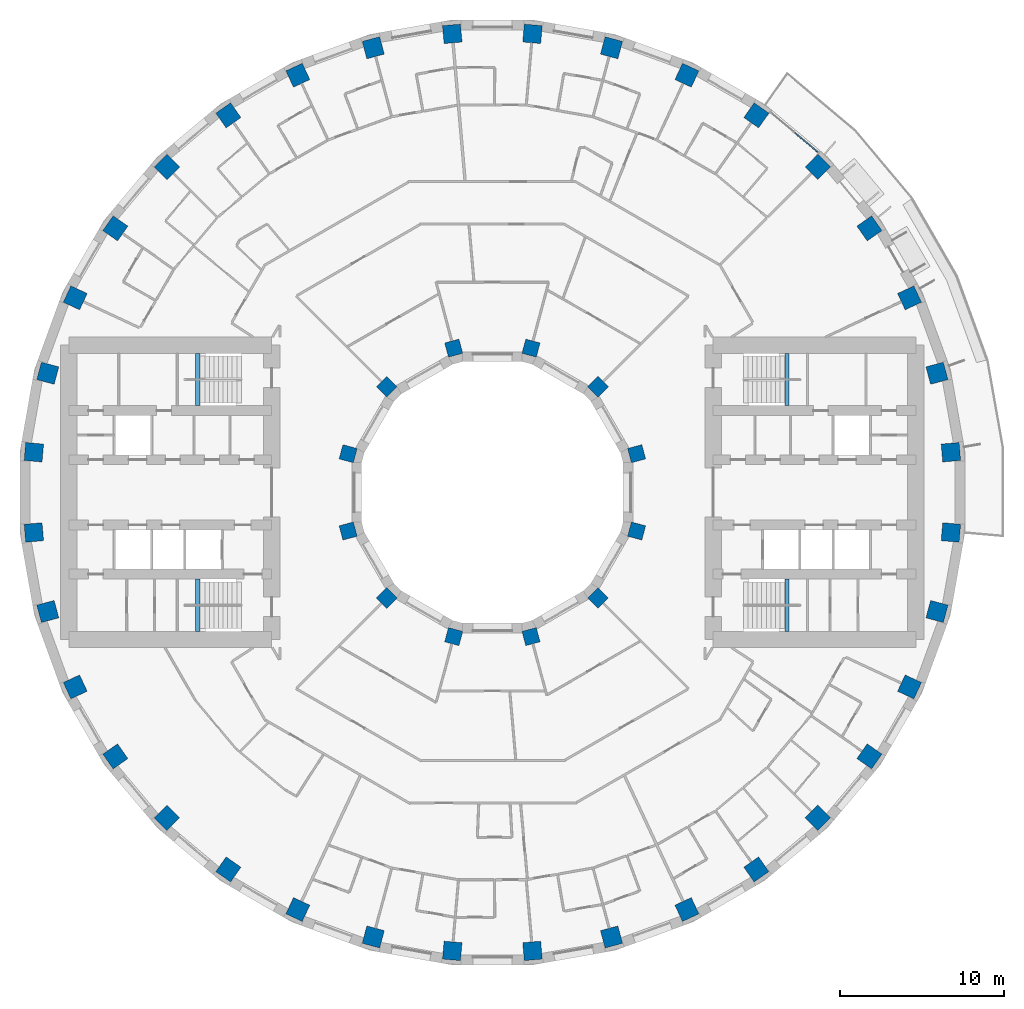
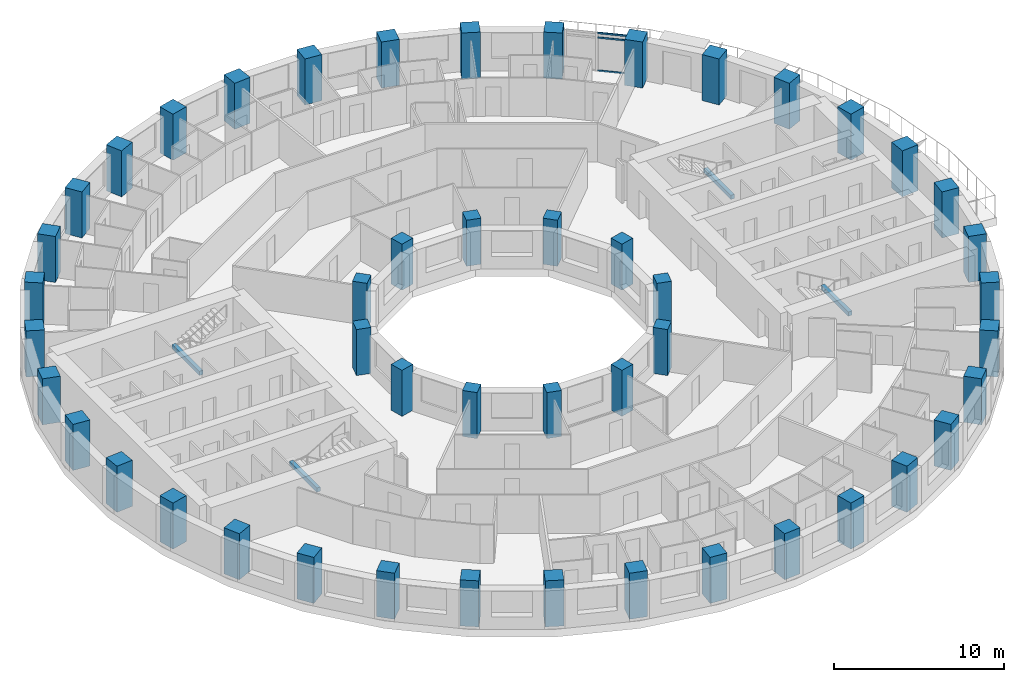
# One storey, part 1 of 15: 48 columns, 4 beams, 3 members, 1 element without a shape of its own.
"""IFC4 building model written with IfcOpenShell, lengths in metres."""

from ifc_helpers import new_model, si_unit, direction, frame, origin, origin_2d, place, context, subcontext, project, spatial, rectangle, extrude, material, layer, layer_set, material_profile, profile_set, type_object, element, aggregate, save


model = new_model("IFC4")

# Units and contexts
model_context = context("Model", 3, precision=1e-05, world=origin(), true_north=direction((0.0, 1.0)))
body_context = subcontext(model_context, "Body", "Model", "MODEL_VIEW")
ifc_project = project(units=[si_unit("LENGTHUNIT", "METRE"), si_unit("AREAUNIT", "SQUARE_METRE"), si_unit("VOLUMEUNIT", "CUBIC_METRE"), si_unit("PLANEANGLEUNIT", "RADIAN"), si_unit("MASSUNIT", "GRAM", prefix="KILO")], contexts=[model_context])

# Site, building, storey
site_placement = place(None, origin())
site = spatial("IfcSite", under=ifc_project, at=site_placement, CompositionType="ELEMENT")
building_placement = place(site_placement, origin())
building = spatial("IfcBuilding", under=site, at=building_placement, Name="Saqina Gate Tower", CompositionType="ELEMENT")
storey_placement = place(building_placement, frame((0.0, 0.0, 56.0)))
storey = spatial("IfcBuildingStorey", under=building, at=storey_placement, Name="L15", CompositionType="ELEMENT", Elevation=56.0)

# Columns
ifc_material_1 = material(Name="Concrete C70/85", Category="concrete")
ifc_material_profile_1 = material_profile(ifc_material_1, rectangle(XDim=0.89990234375, YDim=0.89990234375, at=origin_2d()), Name="RC 900x900")
ifc_profile_set_1 = profile_set([ifc_material_profile_1], Name="Concrete C70/85")
column_type_1 = type_object("IfcColumnType", Name="STR-COL-IN-A", PredefinedType="COLUMN", material=ifc_profile_set_1)
for number, where, z_axis, x_axis, name in (
    (1, (8.821044921875, 2.363525390625, 0.0), (0.0, 0.0, 1.0), (0.965925826289, 0.258819045103, 0.0), "L15-ICL01"),
    (2, (6.45751953125, 6.45751953125, 0.0), (0.0, 0.0, 1.0), (0.707106781187, 0.707106781187, 0.0), "L15-ICL02"),
    (3, (2.363525390625, 8.821044921875, 0.0), (0.0, 0.0, 1.0), (0.258819045103, 0.965925826289, 0.0), "L15-ICL03"),
    (4, (-2.363525390625, 8.821044921875, 0.0), (0.0, 0.0, 1.0), (-0.258819045103, 0.965925826289, 0.0), "L15-ICL04"),
    (5, (-6.45751953125, 6.45751953125, 0.0), (0.0, 0.0, 1.0), (-0.707106781187, 0.707106781187, 0.0), "L15-ICL05"),
    (6, (-8.821044921875, 2.363525390625, 0.0), (0.0, 0.0, 1.0), (-0.965925826289, 0.258819045103, 0.0), "L15-ICL06"),
    (7, (-8.821044921875, -2.363525390625, 0.0), (0.0, 0.0, 1.0), (-0.965925826289, -0.258819045103, 0.0), "L15-ICL07"),
    (8, (-6.45751953125, -6.45751953125, 0.0), (0.0, 0.0, 1.0), (-0.707106781187, -0.707106781187, 0.0), "L15-ICL08"),
    (9, (-2.363525390625, -8.821044921875, 0.0), (0.0, 0.0, 1.0), (-0.258819045103, -0.965925826289, 0.0), "L15-ICL09"),
    (10, (2.363525390625, -8.821044921875, 0.0), (0.0, 0.0, 1.0), (0.258819045103, -0.965925826289, 0.0), "L15-ICL10"),
    (11, (6.45751953125, -6.45751953125, 0.0), (0.0, 0.0, 1.0), (0.707106781187, -0.707106781187, 0.0), "L15-ICL11"),
    (12, (8.821044921875, -2.363525390625, 0.0), (0.0, 0.0, 1.0), (0.965925826289, -0.258819045103, 0.0), "L15-ICL12"),
):
    element("IfcColumn", number, at=place(storey_placement, frame(where, z_axis=z_axis, x_axis=x_axis)), inside=storey, type_object=column_type_1, Name=name, PredefinedType="COLUMN", context=body_context, shape_type="SweptSolid", body=[
        extrude(rectangle(XDim=0.89990234375, YDim=0.89990234375, at=origin_2d()), origin(), (0.0, 0.0, 1.0), 3.300048828125),
    ])
ifc_material_2 = material(Name="Concrete C70/85", Category="concrete")
ifc_material_profile_2 = material_profile(ifc_material_2, rectangle(XDim=1.10009765625, YDim=1.10009765625, at=origin_2d()), Name="RC 1100x1100")
ifc_profile_set_2 = profile_set([ifc_material_profile_2], Name="Concrete C70/85")
column_type_2 = type_object("IfcColumnType", Name="STR-COL-OUT-A", PredefinedType="COLUMN", material=ifc_profile_set_2)
for number, where, z_axis, x_axis, name in (
    (13, (28.04296875, 2.453369140625, 0.0), (0.0, 0.0, 1.0), (0.996194698092, 0.087155742748, 0.0), "L15-COL01"),
    (14, (27.19091796875, 7.28564453125, 0.0), (0.0, 0.0, 1.0), (0.965925826289, 0.258819045103, 0.0), "L15-COL02"),
    (15, (25.512451171875, 11.896728515625, 0.0), (0.0, 0.0, 1.0), (0.906307787037, 0.422618261741, 0.0), "L15-COL03"),
    (16, (23.05908203125, 16.146240234375, 0.0), (0.0, 0.0, 1.0), (0.819152044289, 0.573576436351, 0.0), "L15-COL04"),
    (17, (19.905029296875, 19.905029296875, 0.0), (0.0, 0.0, 1.0), (0.707106781187, 0.707106781187, 0.0), "L15-COL05"),
    (18, (16.146240234375, 23.05908203125, 0.0), (0.0, 0.0, 1.0), (0.573576436351, 0.819152044289, 0.0), "L15-COL06"),
    (19, (11.896728515625, 25.512451171875, 0.0), (0.0, 0.0, 1.0), (0.422618261741, 0.906307787037, 0.0), "L15-COL07"),
    (20, (7.28564453125, 27.19091796875, 0.0), (0.0, 0.0, 1.0), (0.258819045103, 0.965925826289, 0.0), "L15-COL08"),
    (21, (2.453369140625, 28.04296875, 0.0), (0.0, 0.0, 1.0), (0.087155742748, 0.996194698092, 0.0), "L15-COL09"),
    (22, (-2.453369140625, 28.04296875, 0.0), (0.0, 0.0, 1.0), (-0.087155742748, 0.996194698092, 0.0), "L15-COL10"),
    (23, (-7.28564453125, 27.19091796875, 0.0), (0.0, 0.0, 1.0), (-0.258819045103, 0.965925826289, 0.0), "L15-COL11"),
    (24, (-11.896728515625, 25.512451171875, 0.0), (0.0, 0.0, 1.0), (-0.422618261741, 0.906307787037, 0.0), "L15-COL12"),
    (25, (-16.146240234375, 23.05908203125, 0.0), (0.0, 0.0, 1.0), (-0.573576436351, 0.819152044289, 0.0), "L15-COL13"),
    (26, (-19.905029296875, 19.905029296875, 0.0), (0.0, 0.0, 1.0), (-0.707106781187, 0.707106781187, 0.0), "L15-COL14"),
    (27, (-23.05908203125, 16.146240234375, 0.0), (0.0, 0.0, 1.0), (-0.819152044289, 0.573576436351, 0.0), "L15-COL15"),
    (28, (-25.512451171875, 11.896728515625, 0.0), (0.0, 0.0, 1.0), (-0.906307787037, 0.422618261741, 0.0), "L15-COL16"),
    (29, (-27.19091796875, 7.28564453125, 0.0), (0.0, 0.0, 1.0), (-0.965925826289, 0.258819045103, 0.0), "L15-COL17"),
    (30, (-28.04296875, 2.453369140625, 0.0), (0.0, 0.0, 1.0), (-0.996194698092, 0.087155742748, 0.0), "L15-COL18"),
    (31, (-28.04296875, -2.453369140625, 0.0), (0.0, 0.0, 1.0), (-0.996194698092, -0.087155742748, 0.0), "L15-COL19"),
    (32, (-27.19091796875, -7.28564453125, 0.0), (0.0, 0.0, 1.0), (-0.965925826289, -0.258819045103, 0.0), "L15-COL20"),
    (33, (-25.512451171875, -11.896728515625, 0.0), (0.0, 0.0, 1.0), (-0.906307787037, -0.422618261741, 0.0), "L15-COL21"),
    (34, (-23.05908203125, -16.146240234375, 0.0), (0.0, 0.0, 1.0), (-0.819152044289, -0.573576436351, 0.0), "L15-COL22"),
    (35, (-19.905029296875, -19.905029296875, 0.0), (0.0, 0.0, 1.0), (-0.707106781187, -0.707106781187, 0.0), "L15-COL23"),
    (36, (-16.146240234375, -23.05908203125, 0.0), (0.0, 0.0, 1.0), (-0.573576436351, -0.819152044289, 0.0), "L15-COL24"),
    (37, (-11.896728515625, -25.512451171875, 0.0), (0.0, 0.0, 1.0), (-0.422618261741, -0.906307787037, 0.0), "L15-COL25"),
    (38, (-7.28564453125, -27.19091796875, 0.0), (0.0, 0.0, 1.0), (-0.258819045103, -0.965925826289, 0.0), "L15-COL26"),
    (39, (-2.453369140625, -28.04296875, 0.0), (0.0, 0.0, 1.0), (-0.087155742748, -0.996194698092, 0.0), "L15-COL27"),
    (40, (2.453369140625, -28.04296875, 0.0), (0.0, 0.0, 1.0), (0.087155742748, -0.996194698092, 0.0), "L15-COL28"),
    (41, (7.28564453125, -27.19091796875, 0.0), (0.0, 0.0, 1.0), (0.258819045103, -0.965925826289, 0.0), "L15-COL29"),
    (42, (11.896728515625, -25.512451171875, 0.0), (0.0, 0.0, 1.0), (0.422618261741, -0.906307787037, 0.0), "L15-COL30"),
    (43, (16.146240234375, -23.05908203125, 0.0), (0.0, 0.0, 1.0), (0.573576436351, -0.819152044289, 0.0), "L15-COL31"),
    (44, (19.905029296875, -19.905029296875, 0.0), (0.0, 0.0, 1.0), (0.707106781187, -0.707106781187, 0.0), "L15-COL32"),
    (45, (23.05908203125, -16.146240234375, 0.0), (0.0, 0.0, 1.0), (0.819152044289, -0.573576436351, 0.0), "L15-COL33"),
    (46, (25.512451171875, -11.896728515625, 0.0), (0.0, 0.0, 1.0), (0.906307787037, -0.422618261741, 0.0), "L15-COL34"),
    (47, (27.19091796875, -7.28564453125, 0.0), (0.0, 0.0, 1.0), (0.965925826289, -0.258819045103, 0.0), "L15-COL35"),
    (48, (28.04296875, -2.453369140625, 0.0), (0.0, 0.0, 1.0), (0.996194698092, -0.087155742748, 0.0), "L15-COL36"),
):
    element("IfcColumn", number, at=place(storey_placement, frame(where, z_axis=z_axis, x_axis=x_axis)), inside=storey, type_object=column_type_2, Name=name, PredefinedType="COLUMN", context=body_context, shape_type="SweptSolid", body=[
        extrude(rectangle(XDim=1.10009765625, YDim=1.10009765625, at=origin_2d()), origin(), (0.0, 0.0, 1.0), 3.300048828125),
    ])

# Curtain wall, members
ifc_material_3 = material(Name="Aluminium glazing", Category="aluminium")
ifc_layer = layer(ifc_material_3, 0.159912109375)
ifc_layer_set = layer_set([ifc_layer], Name="CWT-4")
curtain_wall_type = type_object("IfcCurtainWallType", Name="CWT-4", PredefinedType="NOTDEFINED", material=ifc_layer_set)
curtain_wall_placement = place(storey_placement, origin())
curtain_wall = element("IfcCurtainWall", 49, at=curtain_wall_placement, inside=storey, type_object=curtain_wall_type, Name="Terrace lounge glazing facet 5", PredefinedType="NOTDEFINED")
ifc_material_4 = material(Name="Aluminium", Category="aluminium")
ifc_material_profile_3 = material_profile(ifc_material_4, rectangle(XDim=0.06005859375, YDim=0.1201171875, at=origin_2d()), Name="Aluminium 60x120")
ifc_profile_set_3 = profile_set([ifc_material_profile_3], Name="Aluminium")
member_type = type_object("IfcMemberType", Name="CWT-4T", PredefinedType="USERDEFINED", material=ifc_profile_set_3)
member_1_placement = place(storey_placement, frame((19.900634765625, 20.818359375, 0.030029296875), z_axis=(-0.766077303133, 0.642748446614, 0.0), x_axis=(-0.642748446614, -0.766077303133, 0.0)))
member_1 = element("IfcMember", 50, at=member_1_placement, type_object=member_type, Name="CW4-05 transom 1.1", ObjectType="TRANSOM", PredefinedType="USERDEFINED", context=body_context, shape_type="SweptSolid", body=[
    extrude(rectangle(XDim=0.06005859375, YDim=0.1201171875, at=origin_2d()), origin(), (0.0, 0.0, 1.0), 1.8330078125),
])
member_2_placement = place(storey_placement, frame((19.900634765625, 20.818359375, 2.39990234375), z_axis=(-0.766077303133, 0.642748446614, 0.0), x_axis=(-0.642748446614, -0.766077303133, 0.0)))
member_2 = element("IfcMember", 51, at=member_2_placement, type_object=member_type, Name="CW4-05 transom 1.2", ObjectType="TRANSOM", PredefinedType="USERDEFINED", context=body_context, shape_type="SweptSolid", body=[
    extrude(rectangle(XDim=0.06005859375, YDim=0.1201171875, at=origin_2d()), origin(), (0.0, 0.0, 1.0), 1.8330078125),
])
member_3_placement = place(storey_placement, frame((19.900634765625, 20.818359375, 2.719970703125), z_axis=(-0.766077303133, 0.642748446614, 0.0), x_axis=(-0.642748446614, -0.766077303133, 0.0)))
member_3 = element("IfcMember", 52, at=member_3_placement, type_object=member_type, Name="CW4-05 transom 1.3", ObjectType="TRANSOM", PredefinedType="USERDEFINED", context=body_context, shape_type="SweptSolid", body=[
    extrude(rectangle(XDim=0.06005859375, YDim=0.1201171875, at=origin_2d()), origin(), (0.0, 0.0, 1.0), 1.8330078125),
])
aggregate(curtain_wall, [member_1, member_2, member_3])

# Beams
ifc_material_5 = material(Name="Concrete C40/50", Category="concrete")
ifc_material_profile_4 = material_profile(ifc_material_5, rectangle(XDim=0.25, YDim=0.300048828125, at=origin_2d()), Name="STAIR LANDING BEAM")
ifc_profile_set_4 = profile_set([ifc_material_profile_4], Name="Concrete C40/50")
beam_type = type_object("IfcBeamType", Name="STAIR LANDING BEAM", PredefinedType="BEAM", material=ifc_profile_set_4)
for number, where, z_axis, x_axis, name in (
    (53, (18.02001953125, 5.300048828125, 1.25), (0.0, 1.0, 0.0), (-1.0, 0.0, 0.0), "EXIT STAIR 1 LANDING BEAM"),
    (54, (18.02001953125, -8.5, 1.25), (0.0, 1.0, 0.0), (-1.0, 0.0, 0.0), "EXIT STAIR 2 LANDING BEAM"),
    (55, (-18.02001953125, 5.300048828125, 1.25), (0.0, 1.0, 0.0), (-1.0, 0.0, 0.0), "EXIT STAIR 3 LANDING BEAM"),
    (56, (-18.02001953125, -8.5, 1.25), (0.0, 1.0, 0.0), (-1.0, 0.0, 0.0), "EXIT STAIR 4 LANDING BEAM"),
):
    element("IfcBeam", number, at=place(storey_placement, frame(where, z_axis=z_axis, x_axis=x_axis)), inside=storey, type_object=beam_type, Name=name, PredefinedType="BEAM", context=body_context, shape_type="SweptSolid", body=[
        extrude(rectangle(XDim=0.25, YDim=0.300048828125, at=origin_2d()), origin(), (0.0, 0.0, 1.0), 3.199951171875),
    ])

save(model, "model.ifc")
